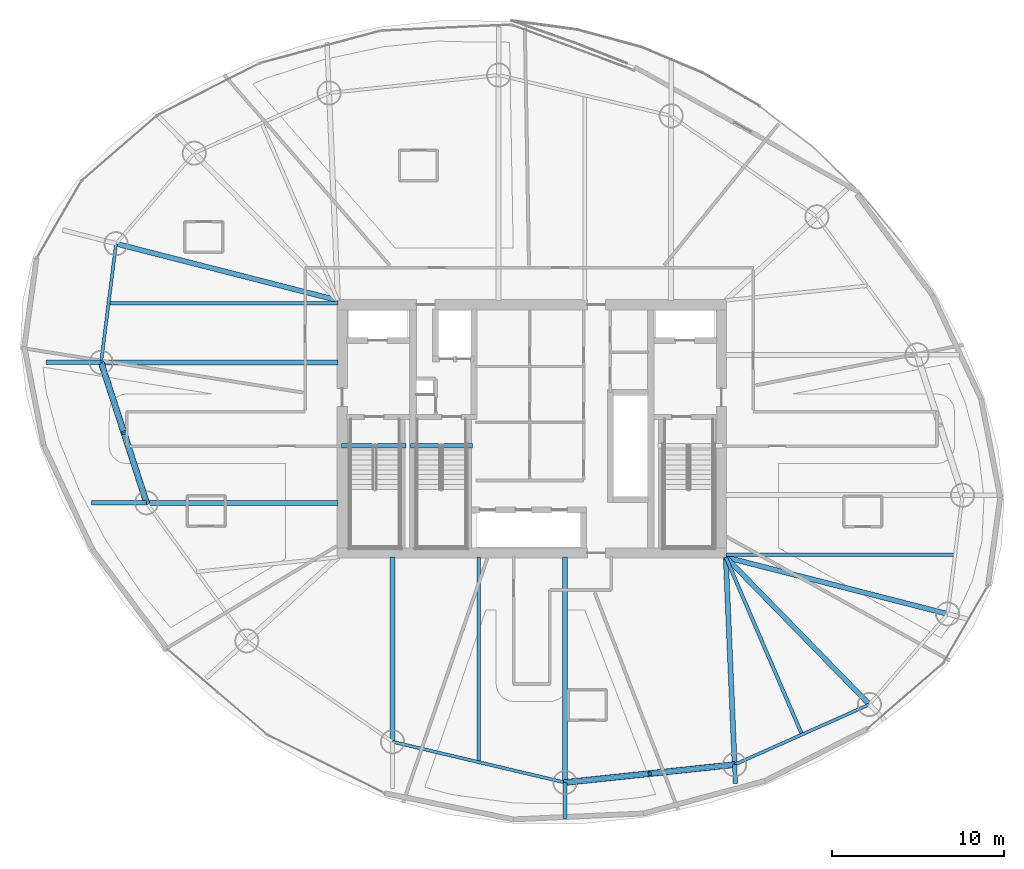
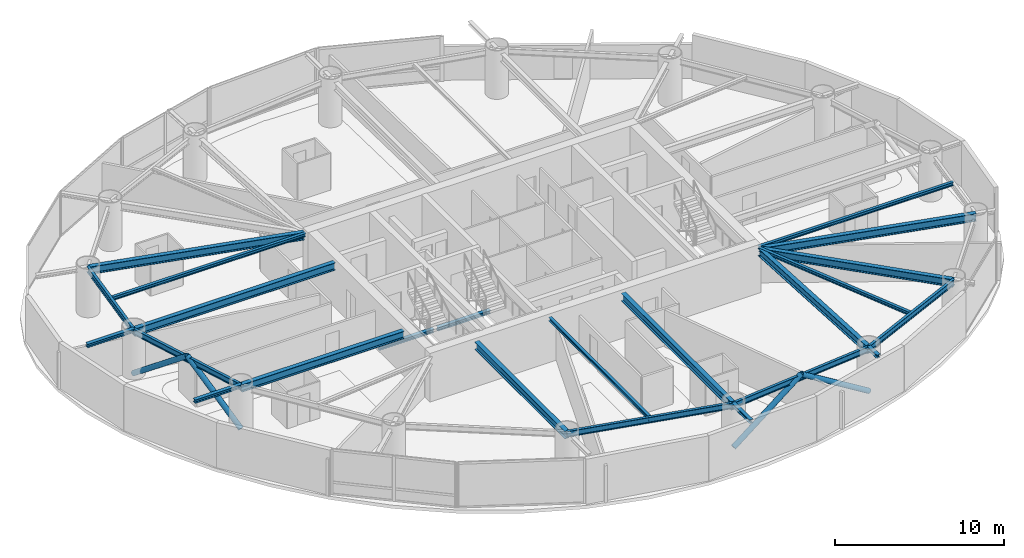
# One storey, part 4 of 19: 23 beams, 4 members.
"""IFC4 building model written with IfcOpenShell, lengths in metres."""

import ifcopenshell
import ifcopenshell.guid

model = None  # the IFC model being written
_history = None  # IfcOwnerHistory: only IFC2X3 demands one
_inside = {}  # id of a spatial element -> (the spatial element, [elements in it])
_under = {}  # id of a project, library or spatial element -> (it, [spatial elements below it])
_declared = {}  # id of a project -> (the project, [libraries it declares])
_typed = {}  # id of a type object -> (the type object, [elements of that type])
_made_of = {}  # id of a material, layer set ... -> (it, [elements and type objects made of it])


def new_model(schema):
    """Start an empty IFC model of exactly this schema.

    Asked for "IFC4X3", IfcOpenShell would pick the latest addendum, in which some entities
    have other attributes; the version numbers below select the first issue.
    IFC2X3 requires an IfcOwnerHistory on every rooted entity: one is made here for all.
    """
    global model, _history
    if schema == "IFC4X3":
        model = ifcopenshell.file(schema_version=(4, 3, 0, 0))
    else:
        model = ifcopenshell.file(schema=schema)
    _inside.clear()
    _under.clear()
    _declared.clear()
    _typed.clear()
    _made_of.clear()
    _history = None
    if model.schema == "IFC2X3":
        org = make("IfcOrganization", Name="unknown")
        user = make(
            "IfcPersonAndOrganization",
            ThePerson=make("IfcPerson", FamilyName="unknown"),
            TheOrganization=org,
        )
        app = make(
            "IfcApplication",
            ApplicationDeveloper=org,
            Version="unknown",
            ApplicationFullName="unknown",
            ApplicationIdentifier="unknown",
        )
        _history = make(
            "IfcOwnerHistory",
            OwningUser=user,
            OwningApplication=app,
            ChangeAction="ADDED",
            CreationDate=0,
        )
    return model


def make(cls, **values):
    """One entity of the class cls with the attributes given. An attribute that is None is left unset."""
    return model.create_entity(
        cls, **{name: value for name, value in values.items() if value is not None}
    )


def rooted(cls, **values):
    """An entity with a GlobalId (a new one), such as an element, a storey or a relation."""
    return make(cls, GlobalId=ifcopenshell.guid.new(), OwnerHistory=_history, **values)


def si_unit(unit_type, name, prefix=None):
    """IfcSIUnit, for example si_unit("LENGTHUNIT", "METRE", prefix="MILLI")."""
    return make("IfcSIUnit", UnitType=unit_type, Prefix=prefix, Name=name)


def assignment(units):
    """IfcUnitAssignment: the units of a project."""
    return None if units is None else make("IfcUnitAssignment", Units=units)


def point(xyz):
    """IfcCartesianPoint."""
    return None if xyz is None else make("IfcCartesianPoint", Coordinates=xyz)


def direction(xyz):
    """IfcDirection."""
    return None if xyz is None else make("IfcDirection", DirectionRatios=xyz)


def frame(location, z_axis=None, x_axis=None):
    """IfcAxis2Placement3D, a coordinate frame: its origin and axes. An axis left out is left unset."""
    return make(
        "IfcAxis2Placement3D",
        Location=point(location),
        Axis=direction(z_axis),
        RefDirection=direction(x_axis),
    )


def frame_2d(location, x_axis=None):
    """IfcAxis2Placement2D, a coordinate frame in the plane: its origin and x axis."""
    return make(
        "IfcAxis2Placement2D", Location=point(location), RefDirection=direction(x_axis)
    )


def origin():
    """The frame at (0, 0, 0) with its axes left unset."""
    return frame((0.0, 0.0, 0.0))


def origin_2d():
    """The frame at (0, 0) in the plane with its x axis left unset."""
    return frame_2d((0.0, 0.0))


def place(relative_to, where):
    """IfcLocalPlacement: puts the frame where relative to a parent placement (None: the world)."""
    return make(
        "IfcLocalPlacement", PlacementRelTo=relative_to, RelativePlacement=where
    )


def context(
    kind, dimensions, precision=None, world=None, true_north=None, identifier=None
):
    """IfcGeometricRepresentationContext, for example the 3D "Model" context."""
    return make(
        "IfcGeometricRepresentationContext",
        ContextIdentifier=identifier,
        ContextType=kind,
        CoordinateSpaceDimension=dimensions,
        Precision=precision,
        WorldCoordinateSystem=world,
        TrueNorth=true_north,
    )


def subcontext(parent, identifier, kind, view, scale=None):
    """IfcGeometricRepresentationSubContext, for example "Body" below "Model"."""
    return make(
        "IfcGeometricRepresentationSubContext",
        ContextIdentifier=identifier,
        ContextType=kind,
        ParentContext=parent,
        TargetScale=scale,
        TargetView=view,
    )


def project(units=None, contexts=None):
    """IfcProject with its units and contexts."""
    return rooted(
        "IfcProject",
        Name="project",
        RepresentationContexts=contexts,
        UnitsInContext=assignment(units),
    )


def spatial(cls, under=None, at=None, **own):
    """A site, building, storey or space (cls), placed at a placement, below another one or the project."""
    s = rooted(cls, ObjectPlacement=at, **own)
    if under is not None:
        _under.setdefault(under.id(), (under, []))[1].append(s)
    return s


def profile(cls, at=None, kind="AREA", **sizes):
    """A parametric profile (cls). Its sizes go by their IFC names, for example OverallWidth=200.0."""
    return make(cls, ProfileType=kind, Position=at, **sizes)


def hollow_circle(**sizes):
    """IfcCircleHollowProfileDef."""
    return profile("IfcCircleHollowProfileDef", **sizes)


def i_section(**sizes):
    """IfcIShapeProfileDef."""
    return profile("IfcIShapeProfileDef", **sizes)


def extrude(swept, where, along, depth):
    """IfcExtrudedAreaSolid: the profile swept, set in the frame where, extruded along a direction by depth."""
    return make(
        "IfcExtrudedAreaSolid",
        SweptArea=swept,
        Position=where,
        ExtrudedDirection=direction(along),
        Depth=depth,
    )


def shape(context_of_items, identifier, shape_type, items):
    """IfcShapeRepresentation: the items that make up one representation, for example the "Body"."""
    return make(
        "IfcShapeRepresentation",
        ContextOfItems=context_of_items,
        RepresentationIdentifier=identifier,
        RepresentationType=shape_type,
        Items=items,
    )


def material(Name=None, Category=None):
    """IfcMaterial."""
    return make("IfcMaterial", Name=Name, Category=Category)


def material_profile(
    of_material, cross_section, Name=None, Category=None, Priority=None
):
    """IfcMaterialProfile: a cross section and its material."""
    return make(
        "IfcMaterialProfile",
        Name=Name,
        Material=of_material,
        Profile=cross_section,
        Priority=Priority,
        Category=Category,
    )


def profile_set(profiles, Name=None, composite=None):
    """IfcMaterialProfileSet."""
    return make(
        "IfcMaterialProfileSet",
        Name=Name,
        MaterialProfiles=profiles,
        CompositeProfile=composite,
    )


def made_of(thing, what):
    """Note that an element or type object is made of a material, layer set ...; save() writes the relation."""
    if what is not None:
        _made_of.setdefault(what.id(), (what, []))[1].append(thing)
    return thing


def type_object(cls, material=None, **own):
    """A type object (cls), such as IfcWallType, which elements share."""
    return made_of(rooted(cls, **own), material)


def element(
    cls,
    number,
    at=None,
    inside=None,
    cuts=None,
    type_object=None,
    material=None,
    context=None,
    identifier="Body",
    shape_type=None,
    held_by="IfcProductDefinitionShape",
    body=None,
    shapes=None,
    **own,
):
    """One element of the class cls, such as IfcWall. Its Tag is "e" and its number.

    at: its placement. inside: the storey or other place that contains it. cuts: it is an
    opening in that element (IfcRelVoidsElement). A single representation is given by context,
    identifier, shape_type and body (its items); several are given by shapes. held_by: the class
    of the entity that holds the representations. save() writes the other relations.
    """
    e = rooted(cls, Tag="e%d" % number, ObjectPlacement=at, **own)
    if body is not None:
        shapes = [shape(context, identifier, shape_type, body)]
    if shapes is not None:
        e.Representation = make(held_by, Representations=shapes)
    if inside is not None:
        _inside.setdefault(inside.id(), (inside, []))[1].append(e)
    if cuts is not None:
        rooted(
            "IfcRelVoidsElement", RelatingBuildingElement=cuts, RelatedOpeningElement=e
        )
    if type_object is not None:
        _typed.setdefault(type_object.id(), (type_object, []))[1].append(e)
    return made_of(e, material)


def aggregate(whole, parts):
    """IfcRelAggregates: a whole, such as a stair, and the parts it consists of."""
    return rooted("IfcRelAggregates", RelatingObject=whole, RelatedObjects=parts)


def save(model, path):
    """Write the relations noted so far, then the file.

    IfcRelAggregates (storeys below a building ...), IfcRelContainedInSpatialStructure (elements
    in a storey), IfcRelDefinesByType, IfcRelAssociatesMaterial and IfcRelDeclares: one each for
    every whole, place, type object, material and project.
    """
    for whole, parts in _under.values():
        aggregate(whole, parts)
    for where, things in _inside.values():
        rooted(
            "IfcRelContainedInSpatialStructure",
            RelatedElements=things,
            RelatingStructure=where,
        )
    for kind, things in _typed.values():
        rooted("IfcRelDefinesByType", RelatedObjects=things, RelatingType=kind)
    for what, things in _made_of.values():
        rooted("IfcRelAssociatesMaterial", RelatedObjects=things, RelatingMaterial=what)
    for by, libraries in _declared.values():
        rooted("IfcRelDeclares", RelatingContext=by, RelatedDefinitions=libraries)
    model.write(path)


model = new_model("IFC4")

# Units and contexts
model_context = context("Model", 3, precision=1e-05, world=origin(), true_north=direction((0.0, 1.0)))
body_context = subcontext(model_context, "Body", "Model", "MODEL_VIEW")
ifc_project = project(units=[si_unit("LENGTHUNIT", "METRE"), si_unit("AREAUNIT", "SQUARE_METRE"), si_unit("VOLUMEUNIT", "CUBIC_METRE"), si_unit("PLANEANGLEUNIT", "RADIAN"), si_unit("MASSUNIT", "GRAM", prefix="KILO")], contexts=[model_context])

# Site, building, storey
site_placement = place(None, origin())
site = spatial("IfcSite", under=ifc_project, at=site_placement, CompositionType="ELEMENT")
building_placement = place(site_placement, origin())
building = spatial("IfcBuilding", under=site, at=building_placement, Name="Bramvorn Convention Spire", CompositionType="ELEMENT")
storey_placement = place(building_placement, frame((0.0, 0.0, 109.800048828125)))
storey = spatial("IfcBuildingStorey", under=building, at=storey_placement, Name="L26", CompositionType="ELEMENT", Elevation=109.800048828125)

# Beams
ifc_material = material(Name="Steel CSA G40.21 Grade 350 (350W)", Category="steel")
ifc_material_profile_1 = material_profile(ifc_material, i_section(OverallWidth=0.201904296875, OverallDepth=0.2470703125, WebThickness=0.00732421875, FlangeThickness=0.010986328125, FilletRadius=0.011962890625, at=origin_2d()))
ifc_profile_set_1 = profile_set([ifc_material_profile_1], Name="Steel CSA G40.21 Grade 350 (350W) - W250X49")
beam_type_1 = type_object("IfcBeamType", Name="BM-W250X49", PredefinedType="JOIST", material=ifc_profile_set_1)
for number, where, z_axis, x_axis, name in (
    (1, (49.25, 18.705078125, 3.136474609375), (1.0, 0.0, 0.0), (0.0, 1.0, 0.0), "L26 composite floor joist 01"),
    (2, (26.75, 33.294921875, 3.136474609375), (-1.0, 0.0, 0.0), (0.0, -1.0, 0.0), "L26 composite floor joist 09"),
):
    element("IfcBeam", number, at=place(storey_placement, frame(where, z_axis=z_axis, x_axis=x_axis)), inside=storey, type_object=beam_type_1, Name=name, PredefinedType="JOIST", context=body_context, shape_type="SweptSolid", body=[
        extrude(i_section(OverallWidth=0.201904296875, OverallDepth=0.2470703125, WebThickness=0.00732421875, FlangeThickness=0.010986328125, FilletRadius=0.011962890625, at=origin_2d()), origin(), (0.0, 0.0, 1.0), 13.30078125),
    ])
beam_1_placement = place(storey_placement, frame((34.920654296875, 18.550048828125, 3.136474609375), z_axis=(0.0, -1.0, 0.0), x_axis=(1.0, 0.0, 0.0)))
element("IfcBeam", 3, at=beam_1_placement, inside=storey, type_object=beam_type_1, Name="L26 composite floor joist 13", PredefinedType="JOIST", context=body_context, shape_type="SweptSolid", body=[
    extrude(i_section(OverallWidth=0.201904296875, OverallDepth=0.2470703125, WebThickness=0.00732421875, FlangeThickness=0.010986328125, FilletRadius=0.011962890625, at=origin_2d()), origin(), (0.0, 0.0, 1.0), 11.8857421875),
])
beam_2_placement = place(storey_placement, frame((49.25, 18.550048828125, 3.136474609375), z_axis=(0.394937739893, -0.918707886985, 0.0), x_axis=(0.918707886985, 0.394937739893, 0.0)))
element("IfcBeam", 4, at=beam_2_placement, inside=storey, type_object=beam_type_1, Name="L26 composite floor joist 15", PredefinedType="JOIST", context=body_context, shape_type="SweptSolid", body=[
    extrude(i_section(OverallWidth=0.201904296875, OverallDepth=0.2470703125, WebThickness=0.00732421875, FlangeThickness=0.010986328125, FilletRadius=0.011962890625, at=origin_2d()), origin(), (0.0, 0.0, 1.0), 11.19384765625),
])
ifc_material_profile_2 = material_profile(ifc_material, i_section(OverallWidth=0.25390625, OverallDepth=0.2529296875, WebThickness=0.008544921875, FlangeThickness=0.01416015625, FilletRadius=0.011962890625, at=origin_2d()))
ifc_profile_set_2 = profile_set([ifc_material_profile_2], Name="Steel CSA G40.21 Grade 350 (350W) - W250X73")
beam_type_2 = type_object("IfcBeamType", Name="BM-W250X73", PredefinedType="BEAM", material=ifc_profile_set_2)
for number, where, z_axis, x_axis, name in (
    (5, (13.016357421875, 29.851806640625, 3.133544921875), (-1.0, 0.0, 0.0), (0.0, -1.0, 0.0), "L26 slab-edge cantilever tip beam MC10"),
    (6, (15.654296875, 21.706787109375, 3.133544921875), (-1.0, 0.0, 0.0), (0.0, -1.0, 0.0), "L26 slab-edge cantilever tip beam MC11"),
):
    element("IfcBeam", number, at=place(storey_placement, frame(where, z_axis=z_axis, x_axis=x_axis)), inside=storey, type_object=beam_type_2, Name=name, PredefinedType="BEAM", context=body_context, shape_type="SweptSolid", body=[
        extrude(i_section(OverallWidth=0.25390625, OverallDepth=0.2529296875, WebThickness=0.008544921875, FlangeThickness=0.01416015625, FilletRadius=0.011962890625, at=origin_2d()), origin(), (0.0, 0.0, 1.0), 3.199951171875),
    ])
beam_3_placement = place(storey_placement, frame((39.924072265625, 5.482666015625, 3.133544921875), z_axis=(0.0, -1.0, 0.0), x_axis=(1.0, 0.0, 0.0)))
element("IfcBeam", 7, at=beam_3_placement, inside=storey, type_object=beam_type_2, Name="L26 slab-edge cantilever tip beam MC14", PredefinedType="BEAM", context=body_context, shape_type="SweptSolid", body=[
    extrude(i_section(OverallWidth=0.25390625, OverallDepth=0.2529296875, WebThickness=0.008544921875, FlangeThickness=0.01416015625, FilletRadius=0.011962890625, at=origin_2d()), origin(), (0.0, 0.0, 1.0), 2.08935546875),
])
beam_4_placement = place(storey_placement, frame((49.76171875, 6.521240234375, 3.133544921875), z_axis=(0.042514716625, -0.999095840683, 0.0), x_axis=(0.999095840683, 0.042514716625, 0.0)))
element("IfcBeam", 8, at=beam_4_placement, inside=storey, type_object=beam_type_2, Name="L26 slab-edge cantilever tip beam MC15", PredefinedType="BEAM", context=body_context, shape_type="SweptSolid", body=[
    extrude(i_section(OverallWidth=0.25390625, OverallDepth=0.2529296875, WebThickness=0.008544921875, FlangeThickness=0.01416015625, FilletRadius=0.011962890625, at=origin_2d()), origin(), (0.0, 0.0, 1.0), 1.1025390625),
])
beam_5_placement = place(storey_placement, frame((26.949951171875, 25.010009765625, -0.12646484375), z_axis=(1.0, 0.0, 0.0), x_axis=(0.0, 1.0, 0.0)))
element("IfcBeam", 9, at=beam_5_placement, inside=storey, type_object=beam_type_2, Name="L26 ST1 stair arrival header beam", PredefinedType="BEAM", context=body_context, shape_type="SweptSolid", body=[
    extrude(i_section(OverallWidth=0.25390625, OverallDepth=0.2529296875, WebThickness=0.008544921875, FlangeThickness=0.01416015625, FilletRadius=0.011962890625, at=origin_2d()), origin(), (0.0, 0.0, 1.0), 3.739990234375),
])
beam_6_placement = place(storey_placement, frame((30.949951171875, 25.010009765625, -0.12646484375), z_axis=(1.0, 0.0, 0.0), x_axis=(0.0, 1.0, 0.0)))
element("IfcBeam", 10, at=beam_6_placement, inside=storey, type_object=beam_type_2, Name="L26 ST3 stair arrival header beam", PredefinedType="BEAM", context=body_context, shape_type="SweptSolid", body=[
    extrude(i_section(OverallWidth=0.25390625, OverallDepth=0.2529296875, WebThickness=0.008544921875, FlangeThickness=0.01416015625, FilletRadius=0.011962890625, at=origin_2d()), origin(), (0.0, 0.0, 1.0), 3.610107421875),
])
ifc_material_profile_3 = material_profile(ifc_material, i_section(OverallWidth=0.180908203125, OverallDepth=0.4169921875, WebThickness=0.010986328125, FlangeThickness=0.018310546875, FilletRadius=0.01611328125, at=origin_2d()))
ifc_profile_set_3 = profile_set([ifc_material_profile_3], Name="Steel CSA G40.21 Grade 350 (350W) - W410X85")
beam_type_3 = type_object("IfcBeamType", Name="BM-W410X85", PredefinedType="JOIST", material=ifc_profile_set_3)
beam_7_placement = place(storey_placement, frame((13.88232421875, 36.73779296875, 3.051513671875), z_axis=(-0.124775053879, -0.992185056292, 0.0), x_axis=(0.992185056292, -0.124775053879, 0.0)))
element("IfcBeam", 11, at=beam_7_placement, inside=storey, type_object=beam_type_3, Name="L26 mega-column ring beam 09", PredefinedType="JOIST", context=body_context, shape_type="SweptSolid", body=[
    extrude(i_section(OverallWidth=0.180908203125, OverallDepth=0.4169921875, WebThickness=0.010986328125, FlangeThickness=0.018310546875, FilletRadius=0.01611328125, at=origin_2d()), origin(), (0.0, 0.0, 1.0), 6.940185546875),
])
beam_8_placement = place(storey_placement, frame((13.016357421875, 29.851806640625, 3.051513671875), z_axis=(0.308114853612, -0.951349166701, 0.0), x_axis=(0.951349166701, 0.308114853612, 0.0)))
element("IfcBeam", 12, at=beam_8_placement, inside=storey, type_object=beam_type_3, Name="L26 mega-column ring beam 10", PredefinedType="JOIST", context=body_context, shape_type="SweptSolid", body=[
    extrude(i_section(OverallWidth=0.180908203125, OverallDepth=0.4169921875, WebThickness=0.010986328125, FlangeThickness=0.018310546875, FilletRadius=0.01611328125, at=origin_2d()), origin(), (0.0, 0.0, 1.0), 8.5615234375),
])
beam_9_placement = place(storey_placement, frame((29.917236328125, 7.845947265625, 3.051513671875), z_axis=(0.97322750491, -0.229843911572, 0.0), x_axis=(0.229843911572, 0.97322750491, 0.0)))
element("IfcBeam", 13, at=beam_9_placement, inside=storey, type_object=beam_type_3, Name="L26 mega-column ring beam 13", PredefinedType="JOIST", context=body_context, shape_type="SweptSolid", body=[
    extrude(i_section(OverallWidth=0.180908203125, OverallDepth=0.4169921875, WebThickness=0.010986328125, FlangeThickness=0.018310546875, FilletRadius=0.01611328125, at=origin_2d()), origin(), (0.0, 0.0, 1.0), 10.2822265625),
])
beam_10_placement = place(storey_placement, frame((39.924072265625, 5.482666015625, 3.051513671875), z_axis=(0.994473491975, 0.104987969596, 0.0), x_axis=(-0.104987969596, 0.994473491975, 0.0)))
element("IfcBeam", 14, at=beam_10_placement, inside=storey, type_object=beam_type_3, Name="L26 mega-column ring beam 14", PredefinedType="JOIST", context=body_context, shape_type="SweptSolid", body=[
    extrude(i_section(OverallWidth=0.180908203125, OverallDepth=0.4169921875, WebThickness=0.010986328125, FlangeThickness=0.018310546875, FilletRadius=0.01611328125, at=origin_2d()), origin(), (0.0, 0.0, 1.0), 9.892333984375),
])
beam_11_placement = place(storey_placement, frame((49.76171875, 6.521240234375, 3.051513671875), z_axis=(0.913169534701, 0.407579931908, 0.0), x_axis=(-0.407579931908, 0.913169534701, 0.0)))
element("IfcBeam", 15, at=beam_11_placement, inside=storey, type_object=beam_type_3, Name="L26 mega-column ring beam 15", PredefinedType="JOIST", context=body_context, shape_type="SweptSolid", body=[
    extrude(i_section(OverallWidth=0.180908203125, OverallDepth=0.4169921875, WebThickness=0.010986328125, FlangeThickness=0.018310546875, FilletRadius=0.01611328125, at=origin_2d()), origin(), (0.0, 0.0, 1.0), 8.5615234375),
])
ifc_material_profile_4 = material_profile(ifc_material, i_section(OverallWidth=0.2919921875, OverallDepth=0.551025390625, WebThickness=0.01513671875, FlangeThickness=0.0244140625, FilletRadius=0.01904296875, at=origin_2d()))
ifc_profile_set_4 = profile_set([ifc_material_profile_4], Name="Steel CSA G40.21 Grade 350 (350W) - W530X182")
beam_type_4 = type_object("IfcBeamType", Name="BM-W530X182", PredefinedType="BEAM", material=ifc_profile_set_4)
for number, where, z_axis, x_axis, name in (
    (16, (49.25, 18.550048828125, 2.984375), (0.968872976577, -0.247558387576, 0.0), (0.247558387576, 0.968872976577, 0.0), "L26 radial floor girder MC01"),
    (17, (26.75, 33.449951171875, 2.984375), (-0.968872976577, 0.247558387576, 0.0), (-0.247558387576, -0.968872976577, 0.0), "L26 radial floor girder MC09"),
):
    element("IfcBeam", number, at=place(storey_placement, frame(where, z_axis=z_axis, x_axis=x_axis)), inside=storey, type_object=beam_type_4, Name=name, PredefinedType="BEAM", context=body_context, shape_type="SweptSolid", body=[
        extrude(i_section(OverallWidth=0.2919921875, OverallDepth=0.551025390625, WebThickness=0.01513671875, FlangeThickness=0.0244140625, FilletRadius=0.01904296875, at=origin_2d()), origin(), (0.0, 0.0, 1.0), 13.281005859375),
    ])
beam_12_placement = place(storey_placement, frame((26.75, 29.851806640625, 2.984375), z_axis=(-1.0, 0.0, 0.0), x_axis=(0.0, -1.0, 0.0)))
element("IfcBeam", 18, at=beam_12_placement, inside=storey, type_object=beam_type_4, Name="L26 radial floor girder MC10", PredefinedType="BEAM", context=body_context, shape_type="SweptSolid", body=[
    extrude(i_section(OverallWidth=0.2919921875, OverallDepth=0.551025390625, WebThickness=0.01513671875, FlangeThickness=0.0244140625, FilletRadius=0.01904296875, at=origin_2d()), origin(), (0.0, 0.0, 1.0), 13.733642578125),
])
beam_13_placement = place(storey_placement, frame((26.75, 21.706787109375, 2.984375), z_axis=(-1.0, 0.0, 0.0), x_axis=(0.0, -1.0, 0.0)))
element("IfcBeam", 19, at=beam_13_placement, inside=storey, type_object=beam_type_4, Name="L26 radial floor girder MC11", PredefinedType="BEAM", context=body_context, shape_type="SweptSolid", body=[
    extrude(i_section(OverallWidth=0.2919921875, OverallDepth=0.551025390625, WebThickness=0.01513671875, FlangeThickness=0.0244140625, FilletRadius=0.01904296875, at=origin_2d()), origin(), (0.0, 0.0, 1.0), 11.095703125),
])
beam_14_placement = place(storey_placement, frame((29.917236328125, 18.550048828125, 2.984375), z_axis=(0.0, -1.0, 0.0), x_axis=(1.0, 0.0, 0.0)))
element("IfcBeam", 20, at=beam_14_placement, inside=storey, type_object=beam_type_4, Name="L26 radial floor girder MC13", PredefinedType="BEAM", context=body_context, shape_type="SweptSolid", body=[
    extrude(i_section(OverallWidth=0.2919921875, OverallDepth=0.551025390625, WebThickness=0.01513671875, FlangeThickness=0.0244140625, FilletRadius=0.01904296875, at=origin_2d()), origin(), (0.0, 0.0, 1.0), 10.7041015625),
])
beam_15_placement = place(storey_placement, frame((39.924072265625, 18.550048828125, 2.984375), z_axis=(0.0, -1.0, 0.0), x_axis=(1.0, 0.0, 0.0)))
element("IfcBeam", 21, at=beam_15_placement, inside=storey, type_object=beam_type_4, Name="L26 radial floor girder MC14", PredefinedType="BEAM", context=body_context, shape_type="SweptSolid", body=[
    extrude(i_section(OverallWidth=0.2919921875, OverallDepth=0.551025390625, WebThickness=0.01513671875, FlangeThickness=0.0244140625, FilletRadius=0.01904296875, at=origin_2d()), origin(), (0.0, 0.0, 1.0), 13.0673828125),
])
beam_16_placement = place(storey_placement, frame((49.25, 18.550048828125, 2.984375), z_axis=(0.042502657955, -0.999096353745, 0.0), x_axis=(0.999096353745, 0.042502657955, 0.0)))
element("IfcBeam", 22, at=beam_16_placement, inside=storey, type_object=beam_type_4, Name="L26 radial floor girder MC15", PredefinedType="BEAM", context=body_context, shape_type="SweptSolid", body=[
    extrude(i_section(OverallWidth=0.2919921875, OverallDepth=0.551025390625, WebThickness=0.01513671875, FlangeThickness=0.0244140625, FilletRadius=0.01904296875, at=origin_2d()), origin(), (0.0, 0.0, 1.0), 12.039794921875),
])
beam_17_placement = place(storey_placement, frame((49.25, 18.550048828125, 2.984375), z_axis=(0.698272445638, -0.715832097397, 0.0), x_axis=(0.715832097397, 0.698272445638, 0.0)))
element("IfcBeam", 23, at=beam_17_placement, inside=storey, type_object=beam_type_4, Name="L26 radial floor girder MC16", PredefinedType="BEAM", context=body_context, shape_type="SweptSolid", body=[
    extrude(i_section(OverallWidth=0.2919921875, OverallDepth=0.551025390625, WebThickness=0.01513671875, FlangeThickness=0.0244140625, FilletRadius=0.01904296875, at=origin_2d()), origin(), (0.0, 0.0, 1.0), 11.92919921875),
])

# Members
ifc_material_profile_5 = material_profile(ifc_material, hollow_circle(Radius=0.177734375, WallThickness=0.015869140625, at=origin_2d()))
ifc_profile_set_5 = profile_set([ifc_material_profile_5], Name="Steel CSA G40.21 Grade 350 (350W) - CHS356X16")
member_type = type_object("IfcMemberType", Name="MBR-CHS356X16", PredefinedType="BRACE", material=ifc_profile_set_5)
for number, where, z_axis, x_axis, name in (
    (24, (13.016357421875, 29.851806640625, 0.0), (0.245105274589, -0.75686802766, 0.605866481227), (0.951357525158, 0.308089044476, 0.0), "L26 perimeter Gothic lancet brace 10A"),
    (25, (15.654296875, 21.706787109375, 0.0), (-0.245147921079, 0.756859609759, 0.605859742768), (-0.951340807692, -0.308140662068, 0.0), "L26 perimeter Gothic lancet brace 10B"),
):
    element("IfcMember", number, at=place(storey_placement, frame(where, z_axis=z_axis, x_axis=x_axis)), inside=storey, type_object=member_type, Name=name, PredefinedType="BRACE", context=body_context, shape_type="SweptSolid", body=[
        extrude(hollow_circle(Radius=0.177734375, WallThickness=0.015869140625, at=origin_2d()), origin(), (0.0, 0.0, 1.0), 5.380859375),
    ])
member_1_placement = place(storey_placement, frame((39.924072265625, 5.482666015625, 0.0), z_axis=(0.830346972509, 0.087658725954, 0.550308870553), x_axis=(-0.104985392894, 0.994473763997, 0.0)))
element("IfcMember", 26, at=member_1_placement, inside=storey, type_object=member_type, Name="L26 perimeter Gothic lancet brace 14A", PredefinedType="BRACE", context=body_context, shape_type="SweptSolid", body=[
    extrude(hollow_circle(Radius=0.177734375, WallThickness=0.015869140625, at=origin_2d()), origin(), (0.0, 0.0, 1.0), 5.924072265625),
])
member_2_placement = place(storey_placement, frame((49.76171875, 6.521240234375, 0.0), z_axis=(-0.830334174424, -0.087661725766, 0.550327702937), x_axis=(0.104990546424, -0.994473219932, 0.0)))
element("IfcMember", 27, at=member_2_placement, inside=storey, type_object=member_type, Name="L26 perimeter Gothic lancet brace 14B", PredefinedType="BRACE", context=body_context, shape_type="SweptSolid", body=[
    extrude(hollow_circle(Radius=0.177734375, WallThickness=0.015869140625, at=origin_2d()), origin(), (0.0, 0.0, 1.0), 5.923828125),
])

save(model, "model.ifc")
